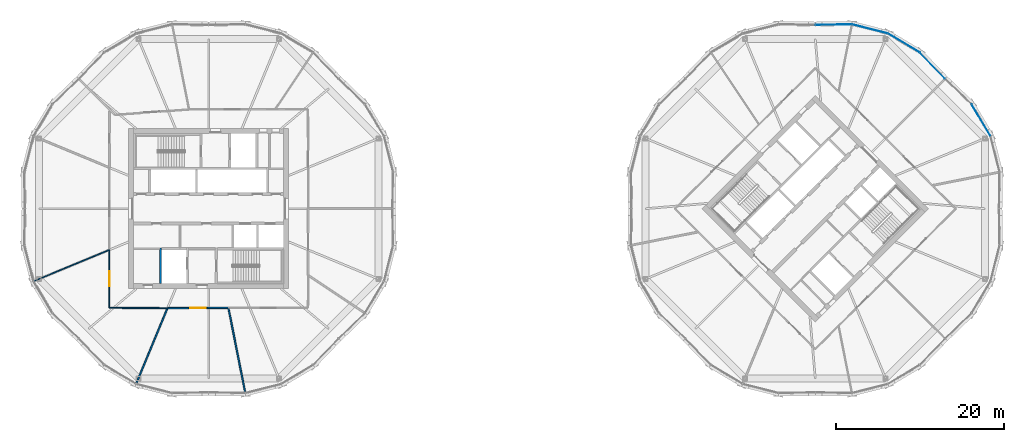
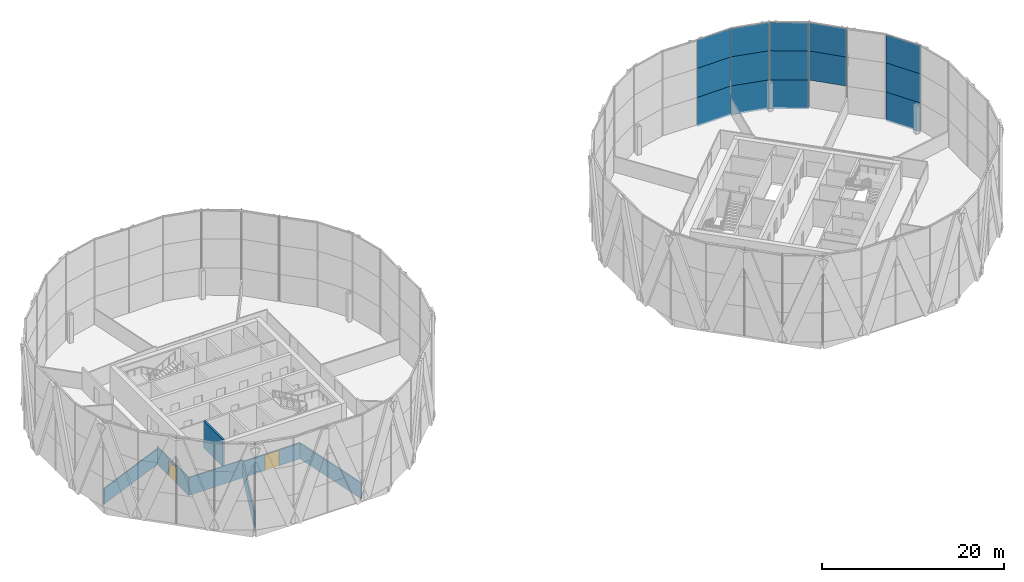
# One storey, part 16 of 23: 14 plates, 7 walls, 2 doors, 2 openings, 2 elements without a shape of their own.
"""IFC4 building model written with IfcOpenShell, lengths in metres."""

import ifcopenshell
import ifcopenshell.guid

model = None  # the IFC model being written
_history = None  # IfcOwnerHistory: only IFC2X3 demands one
_inside = {}  # id of a spatial element -> (the spatial element, [elements in it])
_under = {}  # id of a project, library or spatial element -> (it, [spatial elements below it])
_declared = {}  # id of a project -> (the project, [libraries it declares])
_typed = {}  # id of a type object -> (the type object, [elements of that type])
_made_of = {}  # id of a material, layer set ... -> (it, [elements and type objects made of it])


def new_model(schema):
    """Start an empty IFC model of exactly this schema.

    Asked for "IFC4X3", IfcOpenShell would pick the latest addendum, in which some entities
    have other attributes; the version numbers below select the first issue.
    IFC2X3 requires an IfcOwnerHistory on every rooted entity: one is made here for all.
    """
    global model, _history
    if schema == "IFC4X3":
        model = ifcopenshell.file(schema_version=(4, 3, 0, 0))
    else:
        model = ifcopenshell.file(schema=schema)
    _inside.clear()
    _under.clear()
    _declared.clear()
    _typed.clear()
    _made_of.clear()
    _history = None
    if model.schema == "IFC2X3":
        org = make("IfcOrganization", Name="unknown")
        user = make(
            "IfcPersonAndOrganization",
            ThePerson=make("IfcPerson", FamilyName="unknown"),
            TheOrganization=org,
        )
        app = make(
            "IfcApplication",
            ApplicationDeveloper=org,
            Version="unknown",
            ApplicationFullName="unknown",
            ApplicationIdentifier="unknown",
        )
        _history = make(
            "IfcOwnerHistory",
            OwningUser=user,
            OwningApplication=app,
            ChangeAction="ADDED",
            CreationDate=0,
        )
    return model


def make(cls, **values):
    """One entity of the class cls with the attributes given. An attribute that is None is left unset."""
    return model.create_entity(
        cls, **{name: value for name, value in values.items() if value is not None}
    )


def rooted(cls, **values):
    """An entity with a GlobalId (a new one), such as an element, a storey or a relation."""
    return make(cls, GlobalId=ifcopenshell.guid.new(), OwnerHistory=_history, **values)


def si_unit(unit_type, name, prefix=None):
    """IfcSIUnit, for example si_unit("LENGTHUNIT", "METRE", prefix="MILLI")."""
    return make("IfcSIUnit", UnitType=unit_type, Prefix=prefix, Name=name)


def assignment(units):
    """IfcUnitAssignment: the units of a project."""
    return None if units is None else make("IfcUnitAssignment", Units=units)


def point(xyz):
    """IfcCartesianPoint."""
    return None if xyz is None else make("IfcCartesianPoint", Coordinates=xyz)


def direction(xyz):
    """IfcDirection."""
    return None if xyz is None else make("IfcDirection", DirectionRatios=xyz)


def frame(location, z_axis=None, x_axis=None):
    """IfcAxis2Placement3D, a coordinate frame: its origin and axes. An axis left out is left unset."""
    return make(
        "IfcAxis2Placement3D",
        Location=point(location),
        Axis=direction(z_axis),
        RefDirection=direction(x_axis),
    )


def frame_2d(location, x_axis=None):
    """IfcAxis2Placement2D, a coordinate frame in the plane: its origin and x axis."""
    return make(
        "IfcAxis2Placement2D", Location=point(location), RefDirection=direction(x_axis)
    )


def origin():
    """The frame at (0, 0, 0) with its axes left unset."""
    return frame((0.0, 0.0, 0.0))


def origin_2d():
    """The frame at (0, 0) in the plane with its x axis left unset."""
    return frame_2d((0.0, 0.0))


def place(relative_to, where):
    """IfcLocalPlacement: puts the frame where relative to a parent placement (None: the world)."""
    return make(
        "IfcLocalPlacement", PlacementRelTo=relative_to, RelativePlacement=where
    )


def context(
    kind, dimensions, precision=None, world=None, true_north=None, identifier=None
):
    """IfcGeometricRepresentationContext, for example the 3D "Model" context."""
    return make(
        "IfcGeometricRepresentationContext",
        ContextIdentifier=identifier,
        ContextType=kind,
        CoordinateSpaceDimension=dimensions,
        Precision=precision,
        WorldCoordinateSystem=world,
        TrueNorth=true_north,
    )


def subcontext(parent, identifier, kind, view, scale=None):
    """IfcGeometricRepresentationSubContext, for example "Body" below "Model"."""
    return make(
        "IfcGeometricRepresentationSubContext",
        ContextIdentifier=identifier,
        ContextType=kind,
        ParentContext=parent,
        TargetScale=scale,
        TargetView=view,
    )


def project(units=None, contexts=None):
    """IfcProject with its units and contexts."""
    return rooted(
        "IfcProject",
        Name="project",
        RepresentationContexts=contexts,
        UnitsInContext=assignment(units),
    )


def spatial(cls, under=None, at=None, **own):
    """A site, building, storey or space (cls), placed at a placement, below another one or the project."""
    s = rooted(cls, ObjectPlacement=at, **own)
    if under is not None:
        _under.setdefault(under.id(), (under, []))[1].append(s)
    return s


def profile(cls, at=None, kind="AREA", **sizes):
    """A parametric profile (cls). Its sizes go by their IFC names, for example OverallWidth=200.0."""
    return make(cls, ProfileType=kind, Position=at, **sizes)


def rectangle(**sizes):
    """IfcRectangleProfileDef."""
    return profile("IfcRectangleProfileDef", **sizes)


def extrude(swept, where, along, depth):
    """IfcExtrudedAreaSolid: the profile swept, set in the frame where, extruded along a direction by depth."""
    return make(
        "IfcExtrudedAreaSolid",
        SweptArea=swept,
        Position=where,
        ExtrudedDirection=direction(along),
        Depth=depth,
    )


def shape(context_of_items, identifier, shape_type, items):
    """IfcShapeRepresentation: the items that make up one representation, for example the "Body"."""
    return make(
        "IfcShapeRepresentation",
        ContextOfItems=context_of_items,
        RepresentationIdentifier=identifier,
        RepresentationType=shape_type,
        Items=items,
    )


def material(Name=None, Category=None):
    """IfcMaterial."""
    return make("IfcMaterial", Name=Name, Category=Category)


def layer(
    of_material, thickness, ventilated=None, Name=None, Category=None, Priority=None
):
    """IfcMaterialLayer: one layer of a wall or slab, of a material (None: an air gap)."""
    return make(
        "IfcMaterialLayer",
        Material=of_material,
        LayerThickness=thickness,
        IsVentilated=ventilated,
        Name=Name,
        Category=Category,
        Priority=Priority,
    )


def layer_set(layers, Name=None):
    """IfcMaterialLayerSet."""
    return make("IfcMaterialLayerSet", MaterialLayers=layers, LayerSetName=Name)


def made_of(thing, what):
    """Note that an element or type object is made of a material, layer set ...; save() writes the relation."""
    if what is not None:
        _made_of.setdefault(what.id(), (what, []))[1].append(thing)
    return thing


def type_object(cls, material=None, **own):
    """A type object (cls), such as IfcWallType, which elements share."""
    return made_of(rooted(cls, **own), material)


def element(
    cls,
    number,
    at=None,
    inside=None,
    cuts=None,
    type_object=None,
    material=None,
    context=None,
    identifier="Body",
    shape_type=None,
    held_by="IfcProductDefinitionShape",
    body=None,
    shapes=None,
    **own,
):
    """One element of the class cls, such as IfcWall. Its Tag is "e" and its number.

    at: its placement. inside: the storey or other place that contains it. cuts: it is an
    opening in that element (IfcRelVoidsElement). A single representation is given by context,
    identifier, shape_type and body (its items); several are given by shapes. held_by: the class
    of the entity that holds the representations. save() writes the other relations.
    """
    e = rooted(cls, Tag="e%d" % number, ObjectPlacement=at, **own)
    if body is not None:
        shapes = [shape(context, identifier, shape_type, body)]
    if shapes is not None:
        e.Representation = make(held_by, Representations=shapes)
    if inside is not None:
        _inside.setdefault(inside.id(), (inside, []))[1].append(e)
    if cuts is not None:
        rooted(
            "IfcRelVoidsElement", RelatingBuildingElement=cuts, RelatedOpeningElement=e
        )
    if type_object is not None:
        _typed.setdefault(type_object.id(), (type_object, []))[1].append(e)
    return made_of(e, material)


def fill(opening, filler):
    """IfcRelFillsElement: the door or window that sits in an opening."""
    return rooted(
        "IfcRelFillsElement",
        RelatingOpeningElement=opening,
        RelatedBuildingElement=filler,
    )


def aggregate(whole, parts):
    """IfcRelAggregates: a whole, such as a stair, and the parts it consists of."""
    return rooted("IfcRelAggregates", RelatingObject=whole, RelatedObjects=parts)


def save(model, path):
    """Write the relations noted so far, then the file.

    IfcRelAggregates (storeys below a building ...), IfcRelContainedInSpatialStructure (elements
    in a storey), IfcRelDefinesByType, IfcRelAssociatesMaterial and IfcRelDeclares: one each for
    every whole, place, type object, material and project.
    """
    for whole, parts in _under.values():
        aggregate(whole, parts)
    for where, things in _inside.values():
        rooted(
            "IfcRelContainedInSpatialStructure",
            RelatedElements=things,
            RelatingStructure=where,
        )
    for kind, things in _typed.values():
        rooted("IfcRelDefinesByType", RelatedObjects=things, RelatingType=kind)
    for what, things in _made_of.values():
        rooted("IfcRelAssociatesMaterial", RelatedObjects=things, RelatingMaterial=what)
    for by, libraries in _declared.values():
        rooted("IfcRelDeclares", RelatingContext=by, RelatedDefinitions=libraries)
    model.write(path)


model = new_model("IFC4")

# Units and contexts
model_context = context("Model", 3, precision=1e-05, world=origin(), true_north=direction((0.0, 1.0)))
body_context = subcontext(model_context, "Body", "Model", "MODEL_VIEW")
ifc_project = project(units=[si_unit("LENGTHUNIT", "METRE"), si_unit("AREAUNIT", "SQUARE_METRE"), si_unit("VOLUMEUNIT", "CUBIC_METRE"), si_unit("PLANEANGLEUNIT", "RADIAN"), si_unit("MASSUNIT", "GRAM", prefix="KILO")], contexts=[model_context])

# Site, building, storey
site_placement = place(None, origin())
site = spatial("IfcSite", under=ifc_project, at=site_placement, CompositionType="ELEMENT")
building_placement = place(site_placement, origin())
building = spatial("IfcBuilding", under=site, at=building_placement, Name="Ogive Gate Towers", CompositionType="ELEMENT")
storey_placement = place(building_placement, frame((0.0, 0.0, 177.300048828125)))
storey = spatial("IfcBuildingStorey", under=building, at=storey_placement, Name="L42", CompositionType="ELEMENT", Elevation=177.300048828125)

# Curtain wall, plates
ifc_material_1 = material(Name="Pale metal aluminium", Category="aluminium")
curtain_wall_type = type_object("IfcCurtainWallType", Name="Tower unitised wall, high zone", PredefinedType="NOTDEFINED", material=ifc_material_1)
curtain_wall_1_placement = place(storey_placement, origin())
curtain_wall_1 = element("IfcCurtainWall", 1, at=curtain_wall_1_placement, inside=storey, type_object=curtain_wall_type, Name="CW2 T2 ECW01", PredefinedType="NOTDEFINED")
ifc_material_2 = material(Name="Clear glass", Category="glass")
ifc_layer_1 = layer(ifc_material_2, 0.028076171875)
ifc_layer_set_1 = layer_set([ifc_layer_1], Name="Tower unitised wall, high zone glass panel")
plate_type = type_object("IfcPlateType", Name="Tower unitised wall, high zone glass panel", PredefinedType="CURTAIN_PANEL", material=ifc_layer_set_1)
plate_1_placement = place(storey_placement, frame((55.671875, 10.50830078125, -0.300048828125), z_axis=(0.0, 0.0, 1.0), x_axis=(-0.510993065504, 0.859584834096, 0.0)))
plate_1 = element("IfcPlate", 2, at=plate_1_placement, type_object=plate_type, Name="CW2 glass panel", PredefinedType="CURTAIN_PANEL", context=body_context, shape_type="SweptSolid", body=[
    extrude(rectangle(XDim=4.343994140625, YDim=0.028076171875, at=origin_2d()), origin(), (0.0, 0.0, 1.0), 3.89990234375),
])
plate_2_placement = place(storey_placement, frame((55.671875, 10.50830078125, 3.60009765625), z_axis=(0.0, 0.0, 1.0), x_axis=(-0.510993065504, 0.859584834096, 0.0)))
plate_2 = element("IfcPlate", 3, at=plate_2_placement, type_object=plate_type, Name="CW2 glass panel", PredefinedType="CURTAIN_PANEL", context=body_context, shape_type="SweptSolid", body=[
    extrude(rectangle(XDim=4.343994140625, YDim=0.028076171875, at=origin_2d()), origin(), (0.0, 0.0, 1.0), 3.89990234375),
])
plate_3_placement = place(storey_placement, frame((55.671875, 10.50830078125, 7.5), z_axis=(0.0, 0.0, 1.0), x_axis=(-0.510993065504, 0.859584834096, 0.0)))
plate_3 = element("IfcPlate", 4, at=plate_3_placement, type_object=plate_type, Name="CW2 glass panel", PredefinedType="CURTAIN_PANEL", context=body_context, shape_type="SweptSolid", body=[
    extrude(rectangle(XDim=4.343994140625, YDim=0.028076171875, at=origin_2d()), origin(), (0.0, 0.0, 1.0), 3.803955078125),
])
aggregate(curtain_wall_1, [plate_1, plate_2, plate_3])

curtain_wall_2_placement = place(storey_placement, origin())
curtain_wall_2 = element("IfcCurtainWall", 5, at=curtain_wall_2_placement, inside=storey, type_object=curtain_wall_type, Name="CW2 T2 ECW02", PredefinedType="NOTDEFINED")
plate_4_placement = place(storey_placement, frame((49.9130859375, 16.982666015625, 3.60009765625), z_axis=(0.0, 0.0, 1.0), x_axis=(-0.69504746905, 0.71896384872, 0.0)))
plate_4 = element("IfcPlate", 6, at=plate_4_placement, type_object=plate_type, Name="CW2 glass panel", PredefinedType="CURTAIN_PANEL", context=body_context, shape_type="SweptSolid", body=[
    extrude(rectangle(XDim=4.287353515625, YDim=0.028076171875, at=origin_2d()), origin(), (0.0, 0.0, 1.0), 3.89990234375),
])
plate_5_placement = place(storey_placement, frame((49.9130859375, 16.982666015625, 7.5), z_axis=(0.0, 0.0, 1.0), x_axis=(-0.69504746905, 0.71896384872, 0.0)))
plate_5 = element("IfcPlate", 7, at=plate_5_placement, type_object=plate_type, Name="CW2 glass panel", PredefinedType="CURTAIN_PANEL", context=body_context, shape_type="SweptSolid", body=[
    extrude(rectangle(XDim=4.287353515625, YDim=0.028076171875, at=origin_2d()), origin(), (0.0, 0.0, 1.0), 3.803955078125),
])
plate_6_placement = place(storey_placement, frame((46.50830078125, 19.671875, -0.300048828125), z_axis=(0.0, 0.0, 1.0), x_axis=(-0.859584834096, 0.510993065504, 0.0)))
plate_6 = element("IfcPlate", 8, at=plate_6_placement, type_object=plate_type, Name="CW2 glass panel", PredefinedType="CURTAIN_PANEL", context=body_context, shape_type="SweptSolid", body=[
    extrude(rectangle(XDim=4.343994140625, YDim=0.028076171875, at=origin_2d()), origin(), (0.0, 0.0, 1.0), 3.89990234375),
])
plate_7_placement = place(storey_placement, frame((46.50830078125, 19.671875, 3.60009765625), z_axis=(0.0, 0.0, 1.0), x_axis=(-0.859584834096, 0.510993065504, 0.0)))
plate_7 = element("IfcPlate", 9, at=plate_7_placement, type_object=plate_type, Name="CW2 glass panel", PredefinedType="CURTAIN_PANEL", context=body_context, shape_type="SweptSolid", body=[
    extrude(rectangle(XDim=4.343994140625, YDim=0.028076171875, at=origin_2d()), origin(), (0.0, 0.0, 1.0), 3.89990234375),
])
plate_8_placement = place(storey_placement, frame((46.50830078125, 19.671875, 7.5), z_axis=(0.0, 0.0, 1.0), x_axis=(-0.859584834096, 0.510993065504, 0.0)))
plate_8 = element("IfcPlate", 10, at=plate_8_placement, type_object=plate_type, Name="CW2 glass panel", PredefinedType="CURTAIN_PANEL", context=body_context, shape_type="SweptSolid", body=[
    extrude(rectangle(XDim=4.343994140625, YDim=0.028076171875, at=origin_2d()), origin(), (0.0, 0.0, 1.0), 3.803955078125),
])
plate_9_placement = place(storey_placement, frame((42.4794921875, 21.340576171875, -0.300048828125), z_axis=(0.0, 0.0, 1.0), x_axis=(-0.969144926951, 0.246491603437, 0.0)))
plate_9 = element("IfcPlate", 11, at=plate_9_placement, type_object=plate_type, Name="CW2 glass panel", PredefinedType="CURTAIN_PANEL", context=body_context, shape_type="SweptSolid", body=[
    extrude(rectangle(XDim=4.343994140625, YDim=0.028076171875, at=origin_2d()), origin(), (0.0, 0.0, 1.0), 3.89990234375),
])
plate_10_placement = place(storey_placement, frame((42.4794921875, 21.340576171875, 3.60009765625), z_axis=(0.0, 0.0, 1.0), x_axis=(-0.969144926951, 0.246491603437, 0.0)))
plate_10 = element("IfcPlate", 12, at=plate_10_placement, type_object=plate_type, Name="CW2 glass panel", PredefinedType="CURTAIN_PANEL", context=body_context, shape_type="SweptSolid", body=[
    extrude(rectangle(XDim=4.343994140625, YDim=0.028076171875, at=origin_2d()), origin(), (0.0, 0.0, 1.0), 3.89990234375),
])
plate_11_placement = place(storey_placement, frame((42.4794921875, 21.340576171875, 7.5), z_axis=(0.0, 0.0, 1.0), x_axis=(-0.969144926951, 0.246491603437, 0.0)))
plate_11 = element("IfcPlate", 13, at=plate_11_placement, type_object=plate_type, Name="CW2 glass panel", PredefinedType="CURTAIN_PANEL", context=body_context, shape_type="SweptSolid", body=[
    extrude(rectangle(XDim=4.343994140625, YDim=0.028076171875, at=origin_2d()), origin(), (0.0, 0.0, 1.0), 3.803955078125),
])
plate_12_placement = place(storey_placement, frame((38.17041015625, 21.8466796875, -0.300048828125), z_axis=(0.0, 0.0, 1.0), x_axis=(-0.99985699147, -0.016911434246, 0.0)))
plate_12 = element("IfcPlate", 14, at=plate_12_placement, type_object=plate_type, Name="CW2 glass panel", PredefinedType="CURTAIN_PANEL", context=body_context, shape_type="SweptSolid", body=[
    extrude(rectangle(XDim=4.287353515625, YDim=0.028076171875, at=origin_2d()), origin(), (0.0, 0.0, 1.0), 3.89990234375),
])
plate_13_placement = place(storey_placement, frame((38.17041015625, 21.8466796875, 3.60009765625), z_axis=(0.0, 0.0, 1.0), x_axis=(-0.99985699147, -0.016911434246, 0.0)))
plate_13 = element("IfcPlate", 15, at=plate_13_placement, type_object=plate_type, Name="CW2 glass panel", PredefinedType="CURTAIN_PANEL", context=body_context, shape_type="SweptSolid", body=[
    extrude(rectangle(XDim=4.287353515625, YDim=0.028076171875, at=origin_2d()), origin(), (0.0, 0.0, 1.0), 3.89990234375),
])
plate_14_placement = place(storey_placement, frame((38.17041015625, 21.8466796875, 7.5), z_axis=(0.0, 0.0, 1.0), x_axis=(-0.99985699147, -0.016911434246, 0.0)))
plate_14 = element("IfcPlate", 16, at=plate_14_placement, type_object=plate_type, Name="CW2 glass panel", PredefinedType="CURTAIN_PANEL", context=body_context, shape_type="SweptSolid", body=[
    extrude(rectangle(XDim=4.287353515625, YDim=0.028076171875, at=origin_2d()), origin(), (0.0, 0.0, 1.0), 3.803955078125),
])
aggregate(curtain_wall_2, [plate_4, plate_5, plate_6, plate_7, plate_8, plate_9, plate_10, plate_11, plate_12, plate_13, plate_14])

# Walls
ifc_material_3 = material(Name="Gypsum board acoustic partition")
ifc_layer_2 = layer(ifc_material_3, 0.175048828125)
ifc_layer_set_2 = layer_set([ifc_layer_2], Name="Acoustic partition 175")
wall_type_1 = type_object("IfcWallType", Name="Acoustic partition 175", PredefinedType="PARTITIONING", material=ifc_layer_set_2)
wall_1_placement = place(storey_placement, frame((-44.575927734375, -20.7041015625, 0.0), z_axis=(0.0, 0.0, 1.0), x_axis=(0.382681795271, 0.923880210616, 0.0)))
element("IfcWall", 17, at=wall_1_placement, inside=storey, type_object=wall_type_1, Name="Partition T1-L42-007", PredefinedType="PARTITIONING", context=body_context, shape_type="SweptSolid", body=[
    extrude(rectangle(XDim=9.561279296875, YDim=0.175048828125, at=frame_2d((4.78076171875, 0.0))), origin(), (0.0, 0.0, 1.0), 2.099853515625),
])
wall_2_placement = place(storey_placement, frame((-31.675048828125, -21.784423828125, 0.0), z_axis=(0.0, 0.0, 1.0), x_axis=(-0.194727613988, 0.9808573578, 0.0)))
element("IfcWall", 18, at=wall_2_placement, inside=storey, type_object=wall_type_1, Name="Partition T1-L42-008", PredefinedType="PARTITIONING", context=body_context, shape_type="SweptSolid", body=[
    extrude(rectangle(XDim=10.111572265625, YDim=0.175048828125, at=frame_2d((5.0556640625, 0.0))), origin(), (0.0, 0.0, 1.0), 2.099853515625),
])

# Wall, opening, door
wall_3_placement = place(storey_placement, frame((-40.88330078125, -11.789794921875, 0.0), z_axis=(0.0, 0.0, 1.0), x_axis=(0.9999992178, 0.001250759619, 0.0)))
wall_3 = element("IfcWall", 19, at=wall_3_placement, inside=storey, type_object=wall_type_1, Name="Partition T1-L42-019", PredefinedType="PARTITIONING", context=body_context, shape_type="SweptSolid", body=[
    extrude(rectangle(XDim=7.22216796875, YDim=0.175048828125, at=frame_2d((3.611083984375, 0.0))), origin(), (0.0, 0.0, 1.0), 2.139892578125),
])
opening_1_placement = place(wall_3_placement, frame((2.7109375, 0.0, 0.0)))
opening_1 = element("IfcOpeningElement", 20, at=opening_1_placement, cuts=wall_3, Name="Opening T1-L42-D08", PredefinedType="OPENING", context=body_context, shape_type="SweptSolid", body=[
    extrude(rectangle(XDim=1.800048828125, YDim=2.10009765625, at=frame_2d((0.89990234375, 1.050048828125))), frame((0.0, 0.09765625, 0.0), z_axis=(0.0, -1.0, 0.0), x_axis=(1.0, 0.0, 0.0)), (0.0, 0.0, 1.0), 0.195068359375),
])
ifc_material_4 = material(Name="Timber door", Category="wood")
door_type = type_object("IfcDoorType", Name="Door pair 1800", OperationType="NOTDEFINED", PredefinedType="DOOR", material=ifc_material_4)
door_1_placement = place(opening_1_placement, origin())
door_1 = element("IfcDoor", 21, at=door_1_placement, inside=storey, type_object=door_type, Name="Door T1-L42-D08", OperationType="DOUBLE_DOOR_DOUBLE_SWING", OverallHeight=2.10009765625, OverallWidth=1.800048828125, PredefinedType="DOOR", context=body_context, shape_type="SweptSolid", body=[
    extrude(rectangle(XDim=1.800048828125, YDim=2.10009765625, at=frame_2d((0.89990234375, 1.050048828125))), frame((0.0, 0.02490234375, 0.0), z_axis=(0.0, -1.0, 0.0), x_axis=(1.0, 0.0, 0.0)), (0.0, 0.0, 1.0), 0.050048828125),
])
fill(opening_1, door_1)

# Wall
ifc_material_5 = material(Name="Gypsum board partition")
ifc_layer_3 = layer(ifc_material_5, 0.125)
ifc_layer_set_3 = layer_set([ifc_layer_3], Name="Partition 125")
wall_type_2 = type_object("IfcWallType", Name="Partition 125", PredefinedType="PARTITIONING", material=ifc_layer_set_3)
wall_4_placement = place(storey_placement, frame((-56.7041015625, -8.575927734375, 0.0), z_axis=(0.0, 0.0, 1.0), x_axis=(0.923883362833, 0.382674185019, 0.0)))
element("IfcWall", 22, at=wall_4_placement, inside=storey, type_object=wall_type_2, Name="Partition T1-L42-006", PredefinedType="PARTITIONING", context=body_context, shape_type="SweptSolid", body=[
    extrude(rectangle(XDim=9.58642578125, YDim=0.125, at=frame_2d((4.793212890625, 0.0))), origin(), (0.0, 0.0, 1.0), 2.099853515625),
])

# Wall, opening, door
wall_5_placement = place(storey_placement, frame((-47.789794921875, -4.88330078125, 0.0), z_axis=(0.0, 0.0, 1.0), x_axis=(0.001415977907, -0.999998997503, 0.0)))
wall_5 = element("IfcWall", 23, at=wall_5_placement, inside=storey, type_object=wall_type_2, Name="Partition T1-L42-017", PredefinedType="PARTITIONING", context=body_context, shape_type="SweptSolid", body=[
    extrude(rectangle(XDim=6.896728515625, YDim=0.125, at=frame_2d((3.4482421875, 0.0))), origin(), (0.0, 0.0, 1.0), 2.39990234375),
])
opening_2_placement = place(wall_5_placement, frame((2.548095703125, 0.0, 0.0)))
opening_2 = element("IfcOpeningElement", 24, at=opening_2_placement, cuts=wall_5, Name="Opening T1-L42-D07", PredefinedType="OPENING", context=body_context, shape_type="SweptSolid", body=[
    extrude(rectangle(XDim=1.800048828125, YDim=2.10009765625, at=frame_2d((0.89990234375, 1.050048828125))), frame((0.0, 0.072509765625, 0.0), z_axis=(0.0, -1.0, 0.0), x_axis=(1.0, 0.0, 0.0)), (0.0, 0.0, 1.0), 0.14501953125),
])
door_2_placement = place(opening_2_placement, origin())
door_2 = element("IfcDoor", 25, at=door_2_placement, inside=storey, type_object=door_type, Name="Door T1-L42-D07", OperationType="DOUBLE_DOOR_DOUBLE_SWING", OverallHeight=2.10009765625, OverallWidth=1.800048828125, PredefinedType="DOOR", context=body_context, shape_type="SweptSolid", body=[
    extrude(rectangle(XDim=1.800048828125, YDim=2.10009765625, at=frame_2d((0.89990234375, 1.050048828125))), frame((0.0, 0.02490234375, 0.0), z_axis=(0.0, -1.0, 0.0), x_axis=(1.0, 0.0, 0.0)), (0.0, 0.0, 1.0), 0.050048828125),
])
fill(opening_2, door_2)

# Walls
wall_6_placement = place(storey_placement, frame((-47.780029296875, -11.780029296875, 0.0), z_axis=(0.0, 0.0, 1.0), x_axis=(0.999998997503, -0.001415977907, 0.0)))
element("IfcWall", 26, at=wall_6_placement, inside=storey, type_object=wall_type_2, Name="Partition T1-L42-018", PredefinedType="PARTITIONING", context=body_context, shape_type="SweptSolid", body=[
    extrude(rectangle(XDim=6.896728515625, YDim=0.125, at=frame_2d((3.4482421875, 0.0))), origin(), (0.0, 0.0, 1.0), 2.39990234375),
])
ifc_material_6 = material(Name="Concrete C60/75", Category="concrete")
ifc_layer_4 = layer(ifc_material_6, 0.25)
ifc_layer_set_4 = layer_set([ifc_layer_4], Name="Shaft wall 250 mm")
wall_type_3 = type_object("IfcWallType", Name="Shaft wall 250 mm", PredefinedType="SHEAR", material=ifc_layer_set_4)
wall_7_placement = place(storey_placement, frame((-41.699951171875, -8.89990234375, 0.0), z_axis=(0.0, 0.0, 1.0), x_axis=(0.0, 1.0, 0.0)))
element("IfcWall", 27, at=wall_7_placement, inside=storey, type_object=wall_type_3, Name="T1 L42 Shaft wall 250 mm", PredefinedType="SHEAR", context=body_context, shape_type="SweptSolid", body=[
    extrude(rectangle(XDim=4.224853515625, YDim=0.25, at=frame_2d((2.1123046875, 0.0))), origin(), (0.0, 0.0, 1.0), 3.599853515625),
])

save(model, "model.ifc")
